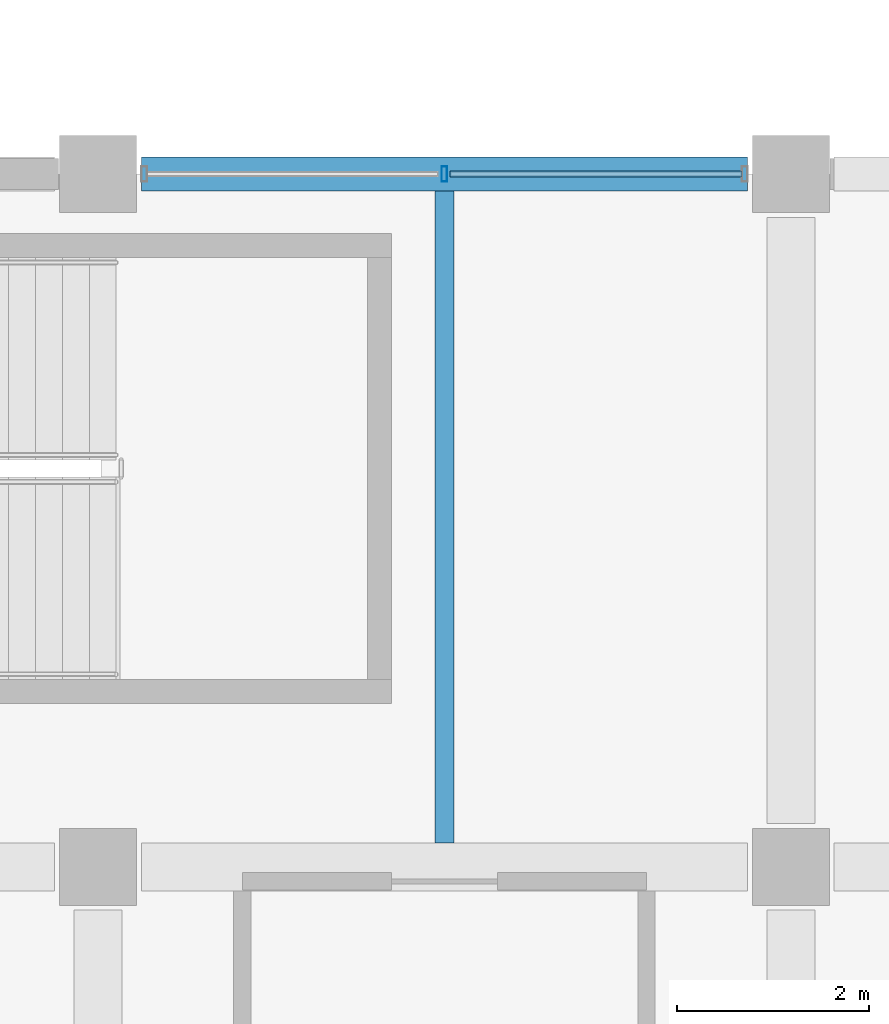
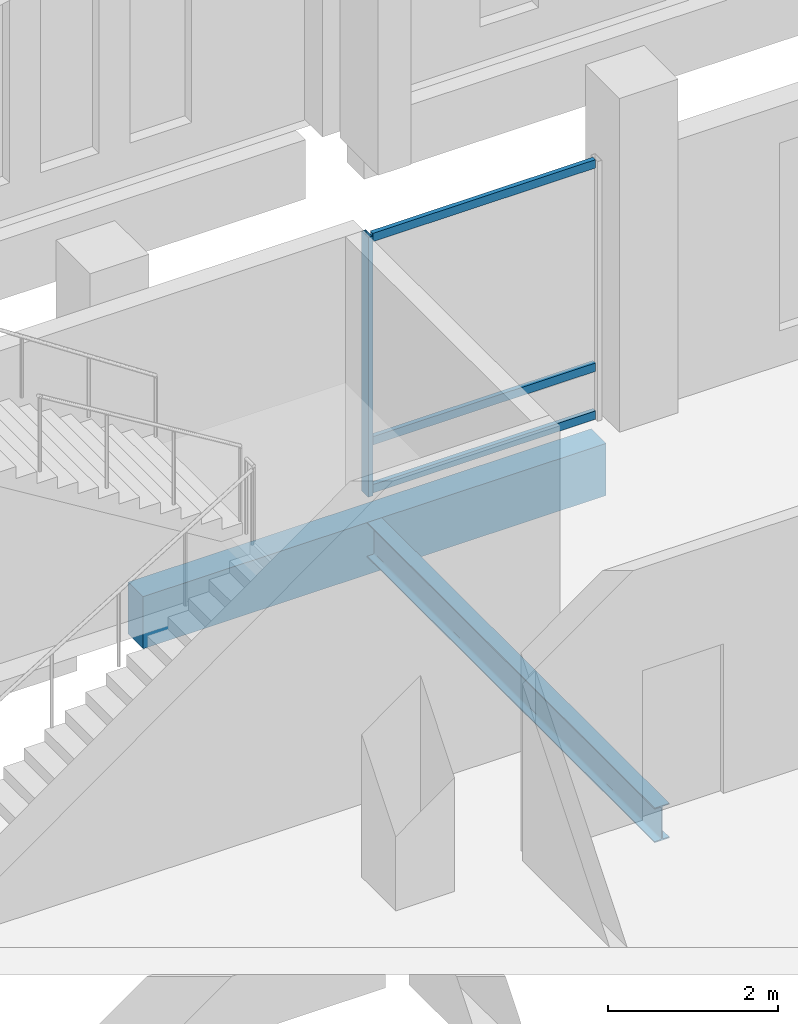
# One storey, part 89 of 220: 4 members, 2 beams, 1 element without a shape of its own.
"""IFC4 building model written with IfcOpenShell, lengths in metres."""

from ifc_helpers import new_model, si_unit, direction, frame, origin, origin_2d, place, context, subcontext, project, spatial, rectangle, hollow_rectangle, i_section, extrude, material, material_profile, profile_set, type_object, element, aggregate, save


model = new_model("IFC4")

# Units and contexts
model_context = context("Model", 3, precision=1e-05, world=origin(), true_north=direction((0.0, 1.0)))
body_context = subcontext(model_context, "Body", "Model", "MODEL_VIEW")
ifc_project = project(units=[si_unit("LENGTHUNIT", "METRE"), si_unit("AREAUNIT", "SQUARE_METRE"), si_unit("VOLUMEUNIT", "CUBIC_METRE"), si_unit("PLANEANGLEUNIT", "RADIAN"), si_unit("MASSUNIT", "GRAM", prefix="KILO")], contexts=[model_context])

# Site, building, storey
site_placement = place(None, origin())
site = spatial("IfcSite", under=ifc_project, at=site_placement, CompositionType="ELEMENT")
building_placement = place(site_placement, origin())
building = spatial("IfcBuilding", under=site, at=building_placement, Name="Cendralis Lancet Convention Centre", CompositionType="ELEMENT")
storey_placement = place(building_placement, frame((0.0, 0.0, 5.39990234375)))
storey = spatial("IfcBuildingStorey", under=building, at=storey_placement, Name="L01", CompositionType="ELEMENT", Elevation=5.39990234375)

# Curtain wall, members
ifc_material_1 = material(Name="Anodised bronze architectural aluminium", Category="aluminium")
curtain_wall_type = type_object("IfcCurtainWallType", Name="ARC-CW-CL02", PredefinedType="USERDEFINED", material=ifc_material_1)
curtain_wall_placement = place(storey_placement, origin())
curtain_wall = element("IfcCurtainWall", 1, at=curtain_wall_placement, inside=storey, type_object=curtain_wall_type, Name="L01 Curtain Wall CW-CL2 #182", ObjectType="CURTAIN WALL", PredefinedType="USERDEFINED")
ifc_material_profile_1 = material_profile(ifc_material_1, hollow_rectangle(XDim=0.06005859375, YDim=0.159912109375, WallThickness=0.00390625, at=origin_2d()), Name="AL-MULL 60x160x4.0")
ifc_profile_set_1 = profile_set([ifc_material_profile_1], Name="Anodised bronze architectural aluminium")
member_type_1 = type_object("IfcMemberType", Name="ARC-CW-ML01", PredefinedType="MULLION", material=ifc_profile_set_1)
member_1_placement = place(storey_placement, frame((157.199951171875, 36.0, 0.0), z_axis=(0.0, 0.0, 1.0), x_axis=(1.0, 0.0, 0.0)))
member_1 = element("IfcMember", 2, at=member_1_placement, type_object=member_type_1, Name="Mullion CW2-CW-CL2-L01-182-M1", PredefinedType="MULLION", context=body_context, shape_type="SweptSolid", body=[
    extrude(hollow_rectangle(XDim=0.06005859375, YDim=0.159912109375, WallThickness=0.00390625, at=origin_2d()), origin(), (0.0, 0.0, 1.0), 3.735107421875),
])
ifc_material_profile_2 = material_profile(ifc_material_1, hollow_rectangle(XDim=0.06005859375, YDim=0.1201171875, WallThickness=0.00390625, at=origin_2d()), Name="AL-TRAN 60x120x4.0")
ifc_profile_set_2 = profile_set([ifc_material_profile_2], Name="Anodised bronze architectural aluminium")
member_type_2 = type_object("IfcMemberType", Name="ARC-CW-TR01", PredefinedType="USERDEFINED", material=ifc_profile_set_2)
member_2_placement = place(storey_placement, frame((157.260009765625, 36.0, 0.06005859375), z_axis=(1.0, 0.0, 0.0), x_axis=(0.0, 1.0, 0.0)))
member_2 = element("IfcMember", 3, at=member_2_placement, type_object=member_type_2, Name="Transom CW2-CW-CL2-L01-182-T1BOT", ObjectType="TRANSOM", PredefinedType="USERDEFINED", context=body_context, shape_type="SweptSolid", body=[
    extrude(hollow_rectangle(XDim=0.06005859375, YDim=0.1201171875, WallThickness=0.00390625, at=origin_2d()), origin(), (0.0, 0.0, 1.0), 3.030029296875),
])
member_3_placement = place(storey_placement, frame((157.260009765625, 36.0, 0.75), z_axis=(1.0, 0.0, 0.0), x_axis=(0.0, 1.0, 0.0)))
member_3 = element("IfcMember", 4, at=member_3_placement, type_object=member_type_2, Name="Transom CW2-CW-CL2-L01-182-T1MID", ObjectType="TRANSOM", PredefinedType="USERDEFINED", context=body_context, shape_type="SweptSolid", body=[
    extrude(hollow_rectangle(XDim=0.06005859375, YDim=0.1201171875, WallThickness=0.00390625, at=origin_2d()), origin(), (0.0, 0.0, 1.0), 3.030029296875),
])
member_4_placement = place(storey_placement, frame((157.260009765625, 36.0, 3.675048828125), z_axis=(1.0, 0.0, 0.0), x_axis=(0.0, 1.0, 0.0)))
member_4 = element("IfcMember", 5, at=member_4_placement, type_object=member_type_2, Name="Transom CW2-CW-CL2-L01-182-T1TOP", ObjectType="TRANSOM", PredefinedType="USERDEFINED", context=body_context, shape_type="SweptSolid", body=[
    extrude(hollow_rectangle(XDim=0.06005859375, YDim=0.1201171875, WallThickness=0.00390625, at=origin_2d()), origin(), (0.0, 0.0, 1.0), 3.030029296875),
])
aggregate(curtain_wall, [member_1, member_2, member_3, member_4])

# Beams
ifc_material_2 = material(Name="Steel S355", Category="steel")
ifc_material_profile_3 = material_profile(ifc_material_2, i_section(OverallWidth=0.199951171875, OverallDepth=0.5, WebThickness=0.01025390625, FlangeThickness=0.01611328125, FilletRadius=0.02099609375, at=origin_2d()), Name="IPE 500")
ifc_profile_set_3 = profile_set([ifc_material_profile_3], Name="Steel S355")
beam_type_1 = type_object("IfcBeamType", Name="STR-JS-BJ06", PredefinedType="JOIST", material=ifc_profile_set_3)
beam_1_placement = place(storey_placement, frame((157.199951171875, 29.050048828125, -0.52978515625), z_axis=(0.0, 1.0, 0.0), x_axis=(-1.0, 0.0, 0.0)))
element("IfcBeam", 6, at=beam_1_placement, inside=storey, type_object=beam_type_1, Name="L01 Beam BJ06 #0232", PredefinedType="JOIST", context=body_context, shape_type="SweptSolid", body=[
    extrude(i_section(OverallWidth=0.199951171875, OverallDepth=0.5, WebThickness=0.01025390625, FlangeThickness=0.01611328125, FilletRadius=0.02099609375, at=origin_2d()), origin(), (0.0, 0.0, 1.0), 6.77490234375),
])
ifc_material_3 = material(Name="Concrete G40 (C40/50)", Category="concrete")
ifc_material_profile_4 = material_profile(ifc_material_3, rectangle(XDim=0.35009765625, YDim=0.75, at=origin_2d()), Name="RCB 350x750")
ifc_profile_set_4 = profile_set([ifc_material_profile_4], Name="Concrete G40 (C40/50)")
beam_type_2 = type_object("IfcBeamType", Name="STR-SP-SP01", PredefinedType="SPANDREL", material=ifc_profile_set_4)
beam_2_placement = place(storey_placement, frame((154.050048828125, 36.0, -0.65478515625), z_axis=(1.0, 0.0, 0.0), x_axis=(0.0, 1.0, 0.0)))
element("IfcBeam", 7, at=beam_2_placement, inside=storey, type_object=beam_type_2, Name="L01 Beam SP01 #0170", PredefinedType="SPANDREL", context=body_context, shape_type="SweptSolid", body=[
    extrude(rectangle(XDim=0.35009765625, YDim=0.75, at=origin_2d()), origin(), (0.0, 0.0, 1.0), 6.300048828125),
])

save(model, "model.ifc")
